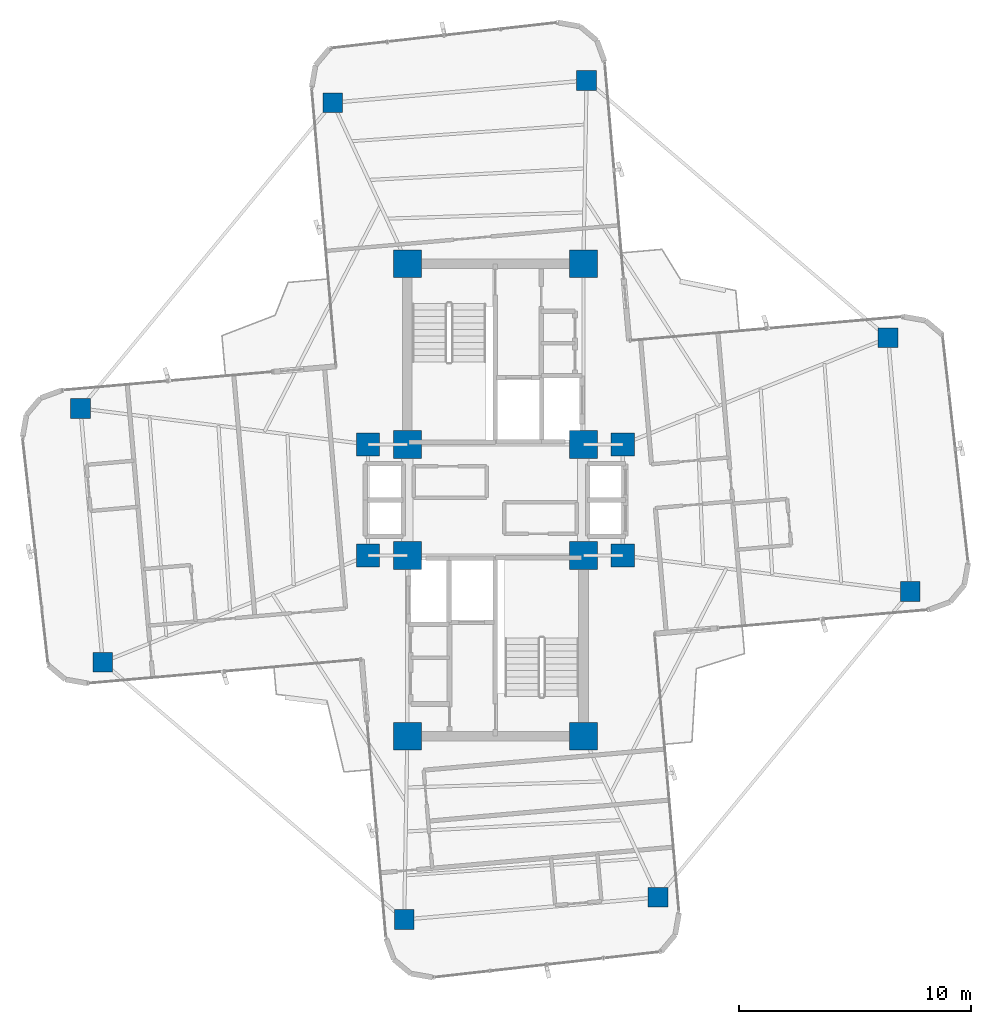
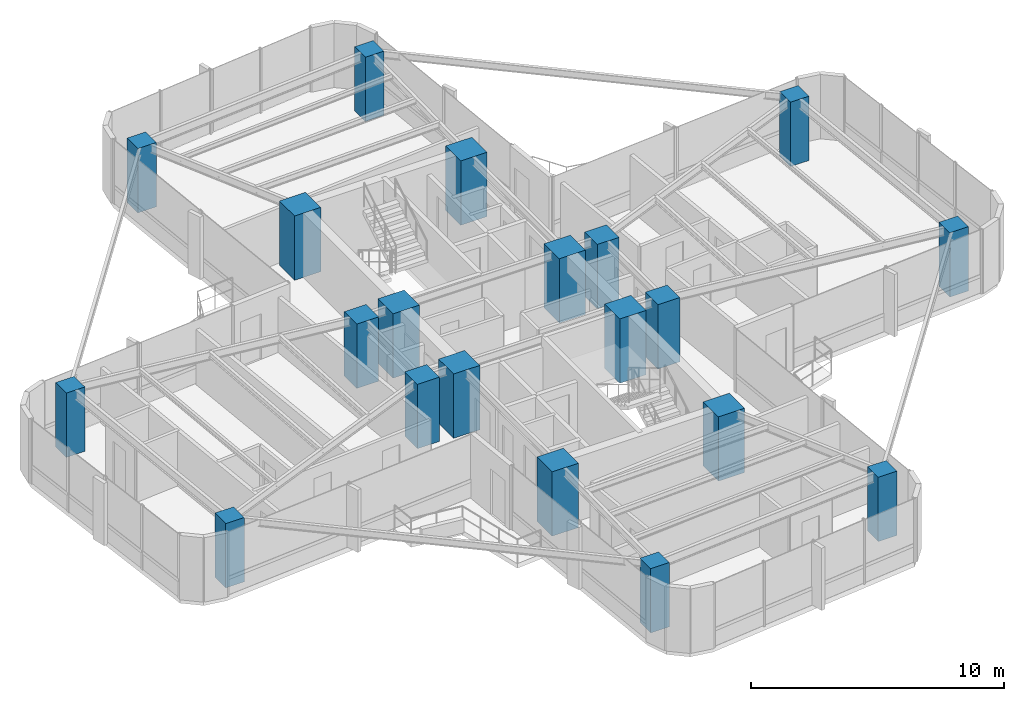
# One storey, part 1 of 24: 20 columns.
"""IFC4 building model written with IfcOpenShell, lengths in metres."""

from ifc_helpers import new_model, si_unit, direction, frame, origin, origin_2d, place, context, subcontext, project, spatial, rectangle, extrude, source, transform, mapped, material, material_profile, profile_set, type_object, element, save


model = new_model("IFC4")

# Units and contexts
model_context = context("Model", 3, precision=1e-05, world=origin(), true_north=direction((0.0, 1.0)))
body_context = subcontext(model_context, "Body", "Model", "MODEL_VIEW")
ifc_project = project(units=[si_unit("LENGTHUNIT", "METRE"), si_unit("AREAUNIT", "SQUARE_METRE"), si_unit("VOLUMEUNIT", "CUBIC_METRE"), si_unit("PLANEANGLEUNIT", "RADIAN"), si_unit("MASSUNIT", "GRAM", prefix="KILO")], contexts=[model_context])

# Site, building, storey
site_placement = place(None, origin())
site = spatial("IfcSite", under=ifc_project, at=site_placement, CompositionType="ELEMENT")
building_placement = place(site_placement, origin())
building = spatial("IfcBuilding", under=site, at=building_placement, Name="Sahyath Konkavel Grand Hotel", CompositionType="ELEMENT")
storey_placement = place(building_placement, frame((0.0, 0.0, 195.300048828125)))
storey = spatial("IfcBuildingStorey", under=building, at=storey_placement, Name="L54", CompositionType="ELEMENT", Elevation=195.300048828125)

# Columns
ifc_material_1 = material(Name="Concrete C50/60", Category="concrete")
ifc_material_profile_1 = material_profile(ifc_material_1, rectangle(XDim=1.199951171875, YDim=1.199951171875, at=origin_2d()), Name="RC 1200x1200")
ifc_profile_set_1 = profile_set([ifc_material_profile_1], Name="Concrete C50/60")
column_type_1 = type_object("IfcColumnType", Name="COL-RC1200", PredefinedType="COLUMN", material=ifc_profile_set_1)
shared_shape_1 = source(origin(), body_context, "Body", "SweptSolid", [
    extrude(rectangle(XDim=1.199951171875, YDim=1.199951171875, at=origin_2d()), origin(), (0.0, 0.0, 1.0), 3.10986328125),
])
for number, where, z_axis, x_axis, name in (
    (1, (-3.800048828125, 2.39990234375, 0.0), (0.0, 0.0, 1.0), (1.0, 0.0, 0.0), "L54 Core Boundary Column NC-SW"),
    (2, (3.800048828125, 2.39990234375, 0.0), (0.0, 0.0, 1.0), (1.0, 0.0, 0.0), "L54 Core Boundary Column NC-SE"),
    (3, (-3.800048828125, 10.199951171875, 0.0), (0.0, 0.0, 1.0), (1.0, 0.0, 0.0), "L54 Core Boundary Column NC-NW"),
    (4, (3.800048828125, 10.199951171875, 0.0), (0.0, 0.0, 1.0), (1.0, 0.0, 0.0), "L54 Core Boundary Column NC-NE"),
    (5, (-3.800048828125, -2.39990234375, 0.0), (0.0, 0.0, 1.0), (1.0, 0.0, 0.0), "L54 Core Boundary Column SC-NW"),
    (6, (3.800048828125, -2.39990234375, 0.0), (0.0, 0.0, 1.0), (1.0, 0.0, 0.0), "L54 Core Boundary Column SC-NE"),
    (7, (-3.800048828125, -10.199951171875, 0.0), (0.0, 0.0, 1.0), (1.0, 0.0, 0.0), "L54 Core Boundary Column SC-SW"),
    (8, (3.800048828125, -10.199951171875, 0.0), (0.0, 0.0, 1.0), (1.0, 0.0, 0.0), "L54 Core Boundary Column SC-SE"),
):
    element("IfcColumn", number, at=place(storey_placement, frame(where, z_axis=z_axis, x_axis=x_axis)), inside=storey, type_object=column_type_1, Name=name, PredefinedType="COLUMN", context=body_context, shape_type="MappedRepresentation", body=[
        mapped(shared_shape_1, transform((0.0, 0.0, 0.0), scale=1.0)),
    ])
ifc_material_profile_2 = material_profile(ifc_material_1, rectangle(XDim=1.0, YDim=1.0, at=origin_2d()), Name="RC 1000x1000")
ifc_profile_set_2 = profile_set([ifc_material_profile_2], Name="Concrete C50/60")
column_type_2 = type_object("IfcColumnType", Name="COL-RC1000", PredefinedType="COLUMN", material=ifc_profile_set_2)
shared_shape_2 = source(origin(), body_context, "Body", "SweptSolid", [
    extrude(rectangle(XDim=1.0, YDim=1.0, at=origin_2d()), origin(), (0.0, 0.0, 1.0), 3.10986328125),
])
for number, where, z_axis, x_axis, name in (
    (9, (5.5, 2.39990234375, 0.0), (0.0, 0.0, 1.0), (1.0, 0.0, 0.0), "L54 Central Spine Column HB-NE"),
    (10, (-5.5, 2.39990234375, 0.0), (0.0, 0.0, 1.0), (1.0, 0.0, 0.0), "L54 Central Spine Column HB-NW"),
    (11, (5.5, -2.39990234375, 0.0), (0.0, 0.0, 1.0), (1.0, 0.0, 0.0), "L54 Central Spine Column HB-SE"),
    (12, (-5.5, -2.39990234375, 0.0), (0.0, 0.0, 1.0), (1.0, 0.0, 0.0), "L54 Central Spine Column HB-SW"),
):
    element("IfcColumn", number, at=place(storey_placement, frame(where, z_axis=z_axis, x_axis=x_axis)), inside=storey, type_object=column_type_2, Name=name, PredefinedType="COLUMN", context=body_context, shape_type="MappedRepresentation", body=[
        mapped(shared_shape_2, transform((0.0, 0.0, 0.0), scale=1.0)),
    ])
ifc_material_2 = material(Name="Concrete C40/50", Category="concrete")
ifc_material_profile_3 = material_profile(ifc_material_2, rectangle(XDim=0.85009765625, YDim=0.85009765625, at=origin_2d()), Name="RC 850x850")
ifc_profile_set_3 = profile_set([ifc_material_profile_3], Name="Concrete C40/50")
column_type_3 = type_object("IfcColumnType", Name="COL-RC850", PredefinedType="COLUMN", material=ifc_profile_set_3)
shared_shape_3 = source(origin(), body_context, "Body", "SweptSolid", [
    extrude(rectangle(XDim=0.85009765625, YDim=0.85009765625, at=origin_2d()), origin(), (0.0, 0.0, 1.0), 3.10986328125),
])
for number, where, z_axis, x_axis, name in (
    (13, (17.912841796875, -3.953857421875, 0.0), (0.0, 0.0, 1.0), (1.0, 0.0, 0.0), "L54 Cruciform Wing Column WC-EA"),
    (14, (16.9541015625, 7.00439453125, 0.0), (0.0, 0.0, 1.0), (1.0, 0.0, 0.0), "L54 Cruciform Wing Column WC-EB"),
    (15, (3.936279296875, 18.112060546875, 0.0), (0.0, 0.0, 1.0), (1.0, 0.0, 0.0), "L54 Cruciform Wing Column WC-NA"),
    (16, (-7.021728515625, 17.1533203125, 0.0), (0.0, 0.0, 1.0), (1.0, 0.0, 0.0), "L54 Cruciform Wing Column WC-NB"),
    (17, (-17.912841796875, 3.953857421875, 0.0), (0.0, 0.0, 1.0), (1.0, 0.0, 0.0), "L54 Cruciform Wing Column WC-WA"),
    (18, (-16.9541015625, -7.00439453125, 0.0), (0.0, 0.0, 1.0), (1.0, 0.0, 0.0), "L54 Cruciform Wing Column WC-WB"),
    (19, (-3.936279296875, -18.112060546875, 0.0), (0.0, 0.0, 1.0), (1.0, 0.0, 0.0), "L54 Cruciform Wing Column WC-SA"),
    (20, (7.021728515625, -17.1533203125, 0.0), (0.0, 0.0, 1.0), (1.0, 0.0, 0.0), "L54 Cruciform Wing Column WC-SB"),
):
    element("IfcColumn", number, at=place(storey_placement, frame(where, z_axis=z_axis, x_axis=x_axis)), inside=storey, type_object=column_type_3, Name=name, PredefinedType="COLUMN", context=body_context, shape_type="MappedRepresentation", body=[
        mapped(shared_shape_3, transform((0.0, 0.0, 0.0), scale=1.0)),
    ])

save(model, "model.ifc")
